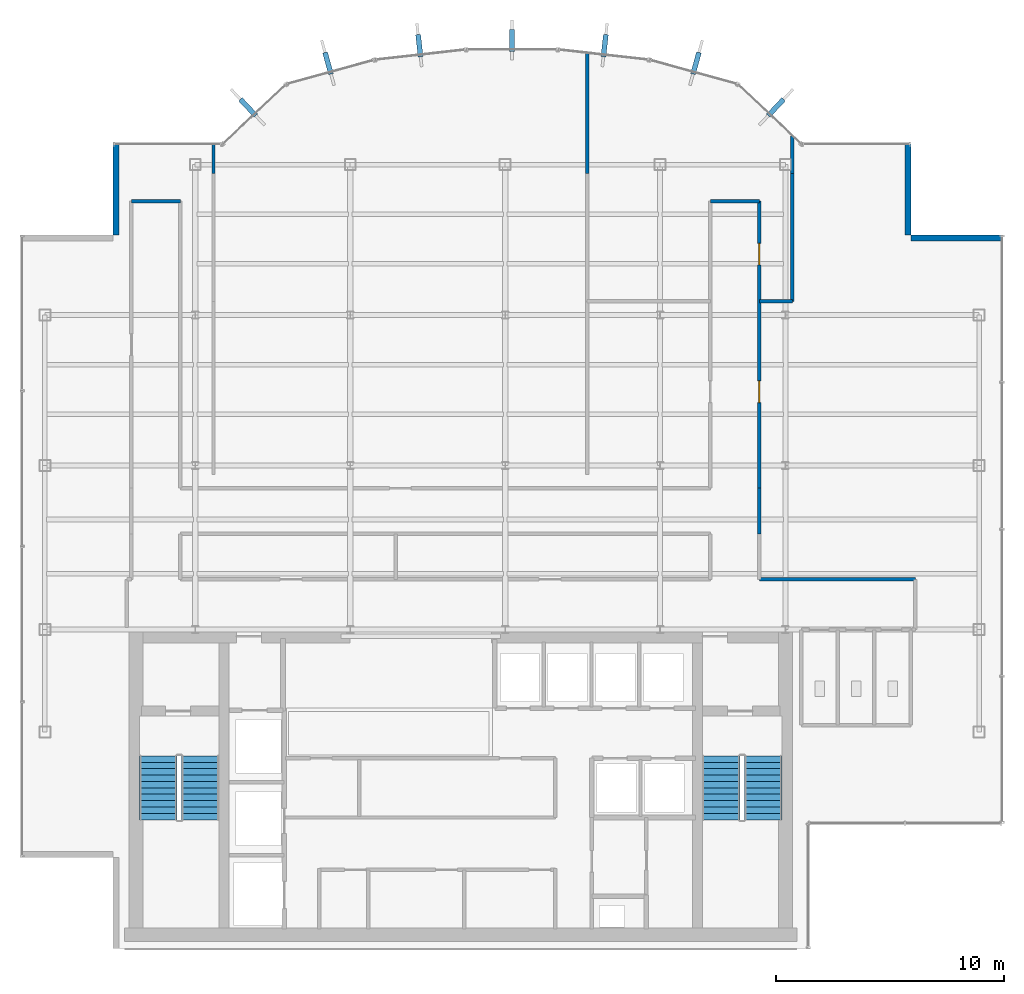
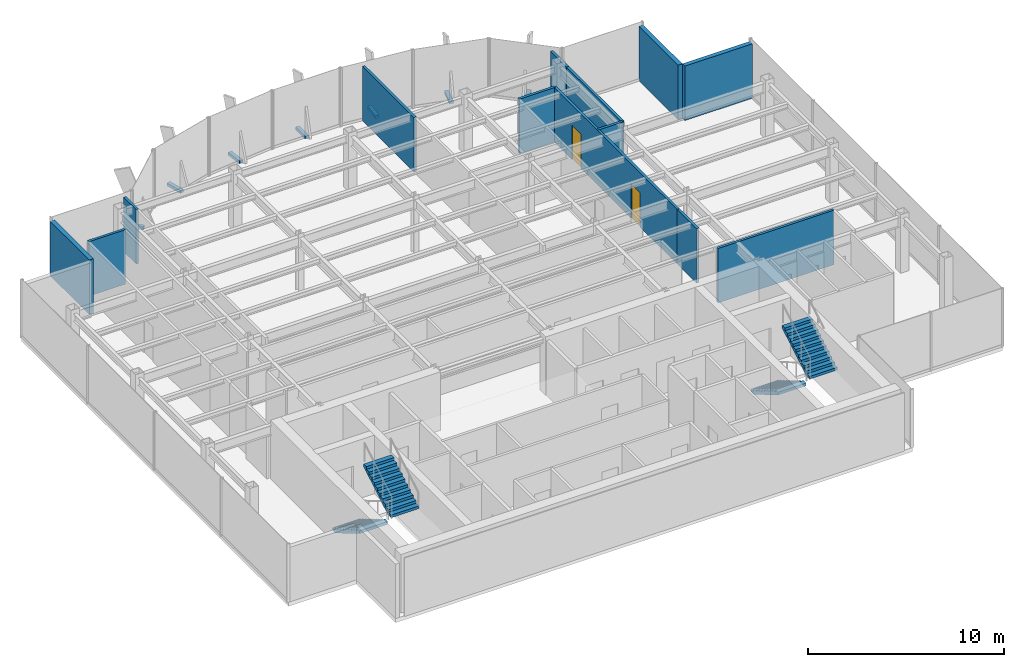
# One storey, part 19 of 22: 13 walls, 7 discrete accessories, 4 stair flights, 2 doors, 2 openings, 2 elements without a shape of their own.
"""IFC4 building model written with IfcOpenShell, lengths in metres."""

from ifc_helpers import new_model, si_unit, derived_unit, direction, frame, frame_2d, origin, origin_2d, place, context, subcontext, project, spatial, polyline, rectangle, outline, extrude, source, transform, mapped, material, layer, layer_set, type_object, element, fill, aggregate, save


model = new_model("IFC4")

# Units and contexts
model_context = context("Model", 3, precision=1e-05, world=origin(), true_north=direction((0.0, 1.0)))
body_context = subcontext(model_context, "Body", "Model", "MODEL_VIEW")
ifc_project = project(units=[si_unit("LENGTHUNIT", "METRE"), si_unit("AREAUNIT", "SQUARE_METRE"), si_unit("VOLUMEUNIT", "CUBIC_METRE"), si_unit("PLANEANGLEUNIT", "RADIAN"), si_unit("MASSUNIT", "GRAM", prefix="KILO"), derived_unit("THERMALTRANSMITTANCEUNIT", [(si_unit("POWERUNIT", "WATT"), 1), (si_unit("LENGTHUNIT", "METRE"), -2), (si_unit("THERMODYNAMICTEMPERATUREUNIT", "KELVIN"), -1)])], contexts=[model_context])

# Site, building, storey
site_placement = place(None, origin())
site = spatial("IfcSite", under=ifc_project, at=site_placement, CompositionType="ELEMENT")
building_placement = place(site_placement, origin())
building = spatial("IfcBuilding", under=site, at=building_placement, Name="Skarnbrae Concourse Arena and Tower", CompositionType="ELEMENT")
storey_placement = place(building_placement, frame((0.0, 0.0, 240.550048828125)))
storey = spatial("IfcBuildingStorey", under=building, at=storey_placement, Name="L62", CompositionType="ELEMENT", Elevation=240.550048828125)

# Walls
ifc_material_1 = material(Name="Precast concrete 40 MPa (C40/50)", Category="concrete")
ifc_layer_1 = layer(ifc_material_1, 0.25)
ifc_layer_set_1 = layer_set([ifc_layer_1], Name="Precast concrete 40 MPa (C40/50)")
wall_type_1 = type_object("IfcWallType", Name="WALL-EXT-SPANDREL-250", PredefinedType="STANDARD", material=ifc_layer_set_1)
shared_shape_1 = source(origin(), body_context, "Body", "SweptSolid", [
    extrude(rectangle(XDim=4.0, YDim=0.25, at=frame_2d((2.0, 0.0))), origin(), (0.0, 0.0, 1.0), 3.39990234375),
])
for number, where, z_axis, x_axis, name in (
    (1, (43.0, 31.175048828125, 0.0), (0.0, 0.0, 1.0), (-1.0, 0.0, 0.0), "L62 Notched corner insulated return wall 05"),
    (2, (38.875, 31.300048828125, 0.0), (0.0, 0.0, 1.0), (0.0, 1.0, 0.0), "L62 Notched corner insulated return wall 06"),
    (3, (4.125, 35.300048828125, 0.0), (0.0, 0.0, 1.0), (0.0, -1.0, 0.0), "L62 Notched corner insulated return wall 16"),
):
    element("IfcWall", number, at=place(storey_placement, frame(where, z_axis=z_axis, x_axis=x_axis)), inside=storey, type_object=wall_type_1, Name=name, PredefinedType="STANDARD", context=body_context, shape_type="MappedRepresentation", body=[
        mapped(shared_shape_1, transform((0.0, 0.0, 0.0))),
    ])
ifc_material_2 = material(Name="Gypsum board on cold-formed steel studs", Category="steel")
ifc_layer_2 = layer(ifc_material_2, 0.14990234375)
ifc_layer_set_2 = layer_set([ifc_layer_2], Name="Gypsum board on cold-formed steel studs")
wall_type_2 = type_object("IfcWallType", Name="WALL-PART-150", PredefinedType="PARTITIONING", material=ifc_layer_set_2)
shared_shape_2 = source(origin(), body_context, "Body", "SweptSolid", [
    extrude(rectangle(XDim=5.60009765625, YDim=0.14990234375, at=frame_2d((2.800048828125, 0.0))), origin(), (0.0, 0.0, 1.0), 3.39990234375),
])
wall_1_placement = place(storey_placement, frame((33.800048828125, 34.0, 0.0), z_axis=(0.0, 0.0, 1.0), x_axis=(0.0, -1.0, 0.0)))
element("IfcWall", 4, at=wall_1_placement, inside=storey, type_object=wall_type_2, Name="L62 Interior partition wall W-L62-DEM-30", PredefinedType="PARTITIONING", context=body_context, shape_type="MappedRepresentation", body=[
    mapped(shared_shape_2, transform((0.0, 0.0, 0.0))),
])
shared_shape_3 = source(origin(), body_context, "Body", "SweptSolid", [
    extrude(rectangle(XDim=1.449951171875, YDim=0.14990234375, at=frame_2d((0.72509765625, 0.0))), origin(), (0.0, 0.0, 1.0), 3.39990234375),
])
wall_2_placement = place(storey_placement, frame((33.800048828125, 28.39990234375, 0.0), z_axis=(0.0, 0.0, 1.0), x_axis=(-1.0, 0.0, 0.0)))
element("IfcWall", 5, at=wall_2_placement, inside=storey, type_object=wall_type_2, Name="L62 Interior partition wall W-L62-DEM-31", PredefinedType="PARTITIONING", context=body_context, shape_type="MappedRepresentation", body=[
    mapped(shared_shape_3, transform((0.0, 0.0, 0.0))),
])
ifc_layer_3 = layer(ifc_material_2, 0.14990234375)
ifc_layer_set_3 = layer_set([ifc_layer_3], Name="Gypsum board on cold-formed steel studs")
wall_type_3 = type_object("IfcWallType", Name="WALL-PART-150-1HR", PredefinedType="PARTITIONING", material=ifc_layer_set_3)
shared_shape_4 = source(origin(), body_context, "Body", "SweptSolid", [
    extrude(rectangle(XDim=2.0, YDim=0.14990234375, at=frame_2d((1.0, 0.0))), origin(), (0.0, 0.0, 1.0), 3.39990234375),
])
wall_3_placement = place(storey_placement, frame((32.35009765625, 20.199951171875, 0.0), z_axis=(0.0, 0.0, 1.0), x_axis=(0.0, -1.0, 0.0)))
element("IfcWall", 6, at=wall_3_placement, inside=storey, type_object=wall_type_3, Name="L62 Interior partition wall W-L62-COR-12", PredefinedType="PARTITIONING", context=body_context, shape_type="MappedRepresentation", body=[
    mapped(shared_shape_4, transform((0.0, 0.0, 0.0))),
])

# Wall, openings, doors
shared_shape_5 = source(origin(), body_context, "Body", "SweptSolid", [
    extrude(rectangle(XDim=12.60009765625, YDim=0.14990234375, at=frame_2d((6.300048828125, 0.0))), origin(), (0.0, 0.0, 1.0), 3.39990234375),
])
wall_4_placement = place(storey_placement, frame((32.35009765625, 32.800048828125, 0.0), z_axis=(0.0, 0.0, 1.0), x_axis=(0.0, -1.0, 0.0)))
wall_4 = element("IfcWall", 7, at=wall_4_placement, inside=storey, type_object=wall_type_3, Name="L62 Interior partition wall W-L62-COR-11", PredefinedType="PARTITIONING", context=body_context, shape_type="MappedRepresentation", body=[
    mapped(shared_shape_5, transform((0.0, 0.0, 0.0))),
])
opening_1_placement = place(wall_4_placement, frame((1.85498046875, 0.0, 0.0)))
opening_1 = element("IfcOpeningElement", 8, at=opening_1_placement, cuts=wall_4, Name="Opening DT-04", PredefinedType="OPENING", context=body_context, shape_type="SweptSolid", body=[
    extrude(rectangle(XDim=0.949951171875, YDim=2.14990234375, at=frame_2d((0.47509765625, 1.074951171875))), frame((0.0, 0.0849609375, 0.0), z_axis=(0.0, -1.0, 0.0), x_axis=(1.0, 0.0, 0.0)), (0.0, 0.0, 1.0), 0.169921875),
])
opening_2_placement = place(wall_4_placement, frame((7.89501953125, 0.0, 0.0)))
opening_2 = element("IfcOpeningElement", 9, at=opening_2_placement, cuts=wall_4, Name="Opening DT-04", PredefinedType="OPENING", context=body_context, shape_type="SweptSolid", body=[
    extrude(rectangle(XDim=0.949951171875, YDim=2.14990234375, at=frame_2d((0.47509765625, 1.074951171875))), frame((0.0, 0.0849609375, 0.0), z_axis=(0.0, -1.0, 0.0), x_axis=(1.0, 0.0, 0.0)), (0.0, 0.0, 1.0), 0.169921875),
])
ifc_material_3 = material(Name="Steel CSA G40.21 350W", Category="steel")
door_type = type_object("IfcDoorType", Name="DOOR-INT-950-45M", OperationType="NOTDEFINED", PredefinedType="DOOR", material=ifc_material_3)
shared_shape_6 = source(origin(), body_context, "Body", "SweptSolid", [
    extrude(rectangle(XDim=0.949951171875, YDim=2.14990234375, at=frame_2d((0.47509765625, 1.074951171875))), frame((0.0, 0.02490234375, 0.0), z_axis=(0.0, -1.0, 0.0), x_axis=(1.0, 0.0, 0.0)), (0.0, 0.0, 1.0), 0.050048828125),
])
door_1_placement = place(opening_1_placement, origin())
door_1 = element("IfcDoor", 10, at=door_1_placement, inside=storey, type_object=door_type, Name="D-1891 L62 Suite Door 06", OperationType="SINGLE_SWING_LEFT", OverallHeight=2.14990234375, OverallWidth=0.949951171875, PredefinedType="DOOR", context=body_context, shape_type="MappedRepresentation", body=[
    mapped(shared_shape_6, transform((0.0, 0.0, 0.0))),
])
fill(opening_1, door_1)
door_2_placement = place(opening_2_placement, origin())
door_2 = element("IfcDoor", 11, at=door_2_placement, inside=storey, type_object=door_type, Name="D-1892 L62 Suite Door 07", OperationType="SINGLE_SWING_RIGHT", OverallHeight=2.14990234375, OverallWidth=0.949951171875, PredefinedType="DOOR", context=body_context, shape_type="MappedRepresentation", body=[
    mapped(shared_shape_6, transform((0.0, 0.0, 0.0))),
])
fill(opening_2, door_2)

# Walls
shared_shape_7 = source(origin(), body_context, "Body", "SweptSolid", [
    extrude(rectangle(XDim=2.14990234375, YDim=0.14990234375, at=frame_2d((1.074951171875, 0.0))), origin(), (0.0, 0.0, 1.0), 3.39990234375),
])
wall_5_placement = place(storey_placement, frame((4.800048828125, 32.800048828125, 0.0), z_axis=(0.0, 0.0, 1.0), x_axis=(1.0, 0.0, 0.0)))
element("IfcWall", 12, at=wall_5_placement, inside=storey, type_object=wall_type_3, Name="L62 Interior partition wall W-L62-COR-06", PredefinedType="PARTITIONING", context=body_context, shape_type="MappedRepresentation", body=[
    mapped(shared_shape_7, transform((0.0, 0.0, 0.0))),
])
shared_shape_8 = source(origin(), body_context, "Body", "SweptSolid", [
    extrude(rectangle(XDim=2.150146484375, YDim=0.14990234375, at=frame_2d((1.0751953125, 0.0))), origin(), (0.0, 0.0, 1.0), 3.39990234375),
])
wall_6_placement = place(storey_placement, frame((30.199951171875, 32.800048828125, 0.0), z_axis=(0.0, 0.0, 1.0), x_axis=(1.0, 0.0, 0.0)))
element("IfcWall", 13, at=wall_6_placement, inside=storey, type_object=wall_type_3, Name="L62 Interior partition wall W-L62-COR-10", PredefinedType="PARTITIONING", context=body_context, shape_type="MappedRepresentation", body=[
    mapped(shared_shape_8, transform((0.0, 0.0, 0.0))),
])
shared_shape_9 = source(origin(), body_context, "Body", "SweptSolid", [
    extrude(rectangle(XDim=6.849853515625, YDim=0.14990234375, at=frame_2d((3.4248046875, 0.0))), origin(), (0.0, 0.0, 1.0), 3.39990234375),
])
wall_7_placement = place(storey_placement, frame((32.35009765625, 16.199951171875, 0.0), z_axis=(0.0, 0.0, 1.0), x_axis=(1.0, 0.0, 0.0)))
element("IfcWall", 14, at=wall_7_placement, inside=storey, type_object=wall_type_3, Name="L62 Interior partition wall W-L62-COR-14", PredefinedType="PARTITIONING", context=body_context, shape_type="MappedRepresentation", body=[
    mapped(shared_shape_9, transform((0.0, 0.0, 0.0))),
])
shared_shape_10 = source(origin(), body_context, "Body", "SweptSolid", [
    extrude(rectangle(XDim=1.280029296875, YDim=0.14990234375, at=frame_2d((0.64013671875, 0.0))), origin(), (0.0, 0.0, 1.0), 3.39990234375),
])
wall_8_placement = place(storey_placement, frame((8.39990234375, 35.280029296875, 0.0), z_axis=(0.0, 0.0, 1.0), x_axis=(0.0, -1.0, 0.0)))
element("IfcWall", 15, at=wall_8_placement, inside=storey, type_object=wall_type_2, Name="L62 Interior partition wall W-L62-DEM-21", PredefinedType="PARTITIONING", context=body_context, shape_type="MappedRepresentation", body=[
    mapped(shared_shape_10, transform((0.0, 0.0, 0.0))),
])
shared_shape_11 = source(origin(), body_context, "Body", "SweptSolid", [
    extrude(rectangle(XDim=5.28271484375, YDim=0.14990234375, at=frame_2d((2.641357421875, 0.0))), origin(), (0.0, 0.0, 1.0), 3.39990234375),
])
wall_9_placement = place(storey_placement, frame((24.800048828125, 39.28271484375, 0.0), z_axis=(0.0, 0.0, 1.0), x_axis=(0.0, -1.0, 0.0)))
element("IfcWall", 16, at=wall_9_placement, inside=storey, type_object=wall_type_2, Name="L62 Interior partition wall W-L62-DEM-27", PredefinedType="PARTITIONING", context=body_context, shape_type="MappedRepresentation", body=[
    mapped(shared_shape_11, transform((0.0, 0.0, 0.0))),
])
shared_shape_12 = source(origin(), body_context, "Body", "SweptSolid", [
    extrude(rectangle(XDim=1.649169921875, YDim=0.14990234375, at=frame_2d((0.82470703125, 0.0))), origin(), (0.0, 0.0, 1.0), 3.39990234375),
])
wall_10_placement = place(storey_placement, frame((33.800048828125, 35.649169921875, 0.0), z_axis=(0.0, 0.0, 1.0), x_axis=(0.0, -1.0, 0.0)))
element("IfcWall", 17, at=wall_10_placement, inside=storey, type_object=wall_type_2, Name="L62 Interior partition wall W-L62-DEM-29", PredefinedType="PARTITIONING", context=body_context, shape_type="MappedRepresentation", body=[
    mapped(shared_shape_12, transform((0.0, 0.0, 0.0))),
])

# Stair, stair flights
ifc_material_4 = material(Name="Concrete 40 MPa (C40/50)", Category="concrete")
stair_type = type_object("IfcStairType", Name="STAIR-DOGLEG-1650", PredefinedType="HALF_TURN_STAIR", material=ifc_material_4)
stair_1_placement = place(storey_placement, origin())
stair_1 = element("IfcStair", 18, at=stair_1_placement, inside=storey, type_object=stair_type, Name="L62 Protected Exit Stair ST-1", PredefinedType="HALF_TURN_STAIR")
stair_flight_type = type_object("IfcStairFlightType", Name="FLIGHT-STRAIGHT-1650", PredefinedType="STRAIGHT", material=ifc_material_4)
shared_shape_13 = source(origin(), body_context, "Body", "SweptSolid", [
    extrude(outline(polyline([(0.0, 0.0), (0.0, 0.166015625), (0.280029296875, 0.166015625), (0.280029296875, 0.331787109375), (0.56005859375, 0.331787109375), (0.56005859375, 0.497802734375), (0.840087890625, 0.497802734375), (0.840087890625, 0.66357421875), (1.1201171875, 0.66357421875), (1.1201171875, 0.82958984375), (1.39990234375, 0.82958984375), (1.39990234375, 0.995361328125), (1.679931640625, 0.995361328125), (1.679931640625, 1.161376953125), (1.9599609375, 1.161376953125), (1.9599609375, 1.327392578125), (2.239990234375, 1.327392578125), (2.239990234375, 1.4931640625), (2.52001953125, 1.4931640625), (2.52001953125, 1.6591796875), (2.800048828125, 1.6591796875), (2.800048828125, 1.824951171875), (2.800048828125, 1.48486328125), (0.2939453125, 0.0), (0.0, 0.0)])), frame((0.0, 0.824951171875, 0.0), z_axis=(0.0, -1.0, 0.0), x_axis=(1.0, 0.0, 0.0)), (0.0, 0.0, 1.0), 1.64990234375),
])
stair_flight_1_placement = place(storey_placement, frame((5.97509765625, 8.449951171875, 0.0), z_axis=(0.0, 0.0, 1.0), x_axis=(0.0, -1.0, 0.0)))
stair_flight_1 = element("IfcStairFlight", 19, at=stair_flight_1_placement, type_object=stair_flight_type, Name="ST-1 flight 1", NumberOfRisers=11, NumberOfTreads=10, PredefinedType="STRAIGHT", RiserHeight=0.165909091, TreadLength=0.28, context=body_context, shape_type="MappedRepresentation", body=[
    mapped(shared_shape_13, transform((0.0, 0.0, 0.0))),
])
stair_flight_2_placement = place(storey_placement, frame((7.824951171875, 5.64990234375, 1.824951171875), z_axis=(0.0, 0.0, 1.0), x_axis=(0.0, 1.0, 0.0)))
stair_flight_2 = element("IfcStairFlight", 20, at=stair_flight_2_placement, type_object=stair_flight_type, Name="ST-1 flight 2", NumberOfRisers=11, NumberOfTreads=10, PredefinedType="STRAIGHT", RiserHeight=0.165909091, TreadLength=0.28, context=body_context, shape_type="MappedRepresentation", body=[
    mapped(shared_shape_13, transform((0.0, 0.0, 0.0))),
])
aggregate(stair_1, [stair_flight_1, stair_flight_2])

stair_2_placement = place(storey_placement, origin())
stair_2 = element("IfcStair", 21, at=stair_2_placement, inside=storey, type_object=stair_type, Name="L62 Protected Exit Stair ST-2", PredefinedType="HALF_TURN_STAIR")
stair_flight_3_placement = place(storey_placement, frame((30.675048828125, 8.449951171875, 0.0), z_axis=(0.0, 0.0, 1.0), x_axis=(0.0, -1.0, 0.0)))
stair_flight_3 = element("IfcStairFlight", 22, at=stair_flight_3_placement, type_object=stair_flight_type, Name="ST-2 flight 1", NumberOfRisers=11, NumberOfTreads=10, PredefinedType="STRAIGHT", RiserHeight=0.165909091, TreadLength=0.28, context=body_context, shape_type="MappedRepresentation", body=[
    mapped(shared_shape_13, transform((0.0, 0.0, 0.0))),
])
stair_flight_4_placement = place(storey_placement, frame((32.52490234375, 5.64990234375, 1.824951171875), z_axis=(0.0, 0.0, 1.0), x_axis=(0.0, 1.0, 0.0)))
stair_flight_4 = element("IfcStairFlight", 23, at=stair_flight_4_placement, type_object=stair_flight_type, Name="ST-2 flight 2", NumberOfRisers=11, NumberOfTreads=10, PredefinedType="STRAIGHT", RiserHeight=0.165909091, TreadLength=0.28, context=body_context, shape_type="MappedRepresentation", body=[
    mapped(shared_shape_13, transform((0.0, 0.0, 0.0))),
])
aggregate(stair_2, [stair_flight_3, stair_flight_4])

# Discrete accessories
ifc_material_5 = material(Name="Bronze anodised aluminium 6063-T6", Category="aluminium")
discrete_accessory_type = type_object("IfcDiscreteAccessoryType", Name="ACC-FIN-BRACKET", PredefinedType="BRACKET", material=ifc_material_5)
shared_shape_14 = source(origin(), body_context, "Body", "SweptSolid", [
    extrude(rectangle(XDim=0.219970703125, YDim=0.97998046875, at=origin_2d()), origin(), (0.0, 0.0, 1.0), 0.179931640625),
])
for number, where, z_axis, x_axis, name in (
    (24, (33.0791015625, 36.904541015625, -0.02978515625), (0.0, 0.0, 1.0), (0.728131751529, -0.685437198009, 0.0), "L62 Bronze fin foot support bracket 08"),
    (25, (29.573974609375, 38.847412109375, -0.02978515625), (0.0, 0.0, 1.0), (0.964058316208, -0.265690728011, 0.0), "L62 Bronze fin foot support bracket 09"),
    (26, (25.566162109375, 39.619384765625, -0.02978515625), (0.0, 0.0, 1.0), (0.993769864509, -0.111451587667, 0.0), "L62 Bronze fin foot support bracket 10"),
    (27, (21.5, 39.8466796875, -0.02978515625), (0.0, 0.0, 1.0), (1.0, 0.0, 0.0), "L62 Bronze fin foot support bracket 11"),
    (28, (17.433837890625, 39.619384765625, -0.02978515625), (0.0, 0.0, 1.0), (0.993769864509, 0.111451587667, 0.0), "L62 Bronze fin foot support bracket 12"),
    (29, (13.426025390625, 38.847412109375, -0.02978515625), (0.0, 0.0, 1.0), (0.964058316208, 0.265690728011, 0.0), "L62 Bronze fin foot support bracket 13"),
    (30, (9.9208984375, 36.904541015625, -0.02978515625), (0.0, 0.0, 1.0), (0.728131751529, 0.685437198009, 0.0), "L62 Bronze fin foot support bracket 14"),
):
    element("IfcDiscreteAccessory", number, at=place(storey_placement, frame(where, z_axis=z_axis, x_axis=x_axis)), inside=storey, type_object=discrete_accessory_type, Name=name, PredefinedType="BRACKET", context=body_context, shape_type="MappedRepresentation", body=[
        mapped(shared_shape_14, transform((0.0, 0.0, 0.0))),
    ])

save(model, "model.ifc")
